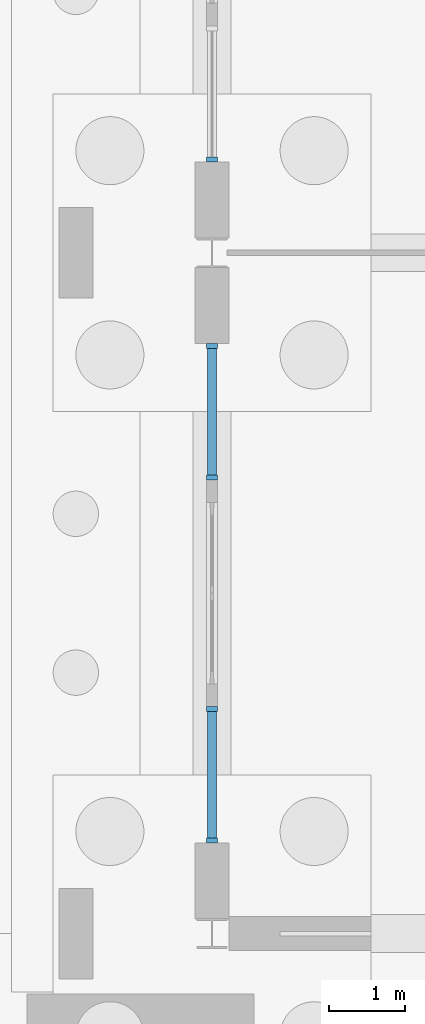
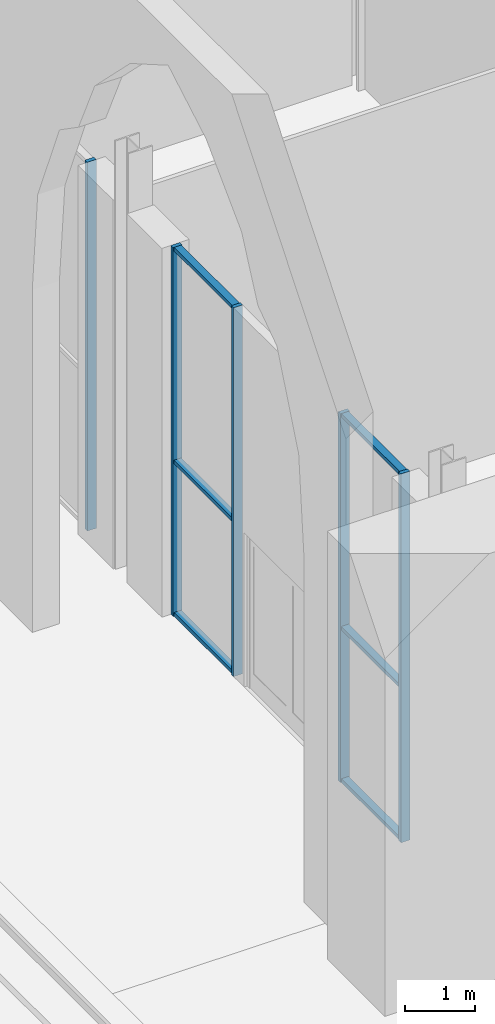
# One storey, part 41 of 250: 11 members, 3 elements without a shape of their own.
"""IFC4 building model written with IfcOpenShell, lengths in metres."""

from ifc_helpers import new_model, si_unit, direction, frame, origin, origin_2d, place, context, subcontext, project, spatial, rectangle, extrude, material, material_profile, profile_set, type_object, element, aggregate, save


model = new_model("IFC4")

# Units and contexts
model_context = context("Model", 3, precision=1e-05, world=origin(), true_north=direction((0.0, 1.0)))
body_context = subcontext(model_context, "Body", "Model", "MODEL_VIEW")
ifc_project = project(units=[si_unit("LENGTHUNIT", "METRE"), si_unit("AREAUNIT", "SQUARE_METRE"), si_unit("VOLUMEUNIT", "CUBIC_METRE"), si_unit("PLANEANGLEUNIT", "RADIAN"), si_unit("MASSUNIT", "GRAM", prefix="KILO")], contexts=[model_context])

# Site, building, storey
site_placement = place(None, origin())
site = spatial("IfcSite", under=ifc_project, at=site_placement, CompositionType="ELEMENT")
building_placement = place(site_placement, origin())
building = spatial("IfcBuilding", under=site, at=building_placement, Name="Baradari Gate Terminus", CompositionType="ELEMENT")
storey_placement = place(building_placement, origin())
storey = spatial("IfcBuildingStorey", under=building, at=storey_placement, Name="L00", CompositionType="ELEMENT", Elevation=0.0)

# Curtain wall, members
ifc_material_1 = material(Name="Aluminium 6063-T6", Category="aluminium")
curtain_wall_type = type_object("IfcCurtainWallType", Name="Curtain wall CW-12 shopfront, other height", PredefinedType="NOTDEFINED", material=ifc_material_1)
curtain_wall_1_placement = place(storey_placement, origin())
curtain_wall_1 = element("IfcCurtainWall", 1, at=curtain_wall_1_placement, inside=storey, type_object=curtain_wall_type, Name="Shopfront curtain wall CW-12 TW bay 13 L00", PredefinedType="NOTDEFINED")
ifc_material_2 = material(Name="Aluminium 6063-T6", Category="aluminium")
ifc_material_profile_1 = material_profile(ifc_material_2, rectangle(XDim=0.14990234375, YDim=0.06494140625, at=origin_2d()), Name="CM-12 65X150")
ifc_profile_set_1 = profile_set([ifc_material_profile_1], Name="Aluminium 6063-T6")
member_type_1 = type_object("IfcMemberType", Name="Curtain wall mullion CM-12 65x150", PredefinedType="MULLION", material=ifc_profile_set_1)
member_1_placement = place(storey_placement, frame((9.0, 118.232421875, 0.0), z_axis=(0.0, 0.0, 1.0), x_axis=(-1.0, 0.0, 0.0)))
member_1 = element("IfcMember", 2, at=member_1_placement, type_object=member_type_1, Name="CW-12 mullion 1", PredefinedType="MULLION", context=body_context, shape_type="SweptSolid", body=[
    extrude(rectangle(XDim=0.14990234375, YDim=0.06494140625, at=origin_2d()), origin(), (0.0, 0.0, 1.0), 6.459716796875),
])
member_2_placement = place(storey_placement, frame((9.0, 119.967529296875, 0.0), z_axis=(0.0, 0.0, 1.0), x_axis=(-1.0, 0.0, 0.0)))
member_2 = element("IfcMember", 3, at=member_2_placement, type_object=member_type_1, Name="CW-12 mullion 2", PredefinedType="MULLION", context=body_context, shape_type="SweptSolid", body=[
    extrude(rectangle(XDim=0.14990234375, YDim=0.06494140625, at=origin_2d()), origin(), (0.0, 0.0, 1.0), 6.459716796875),
])

curtain_wall_2_placement = place(storey_placement, origin())
curtain_wall_2 = element("IfcCurtainWall", 4, at=curtain_wall_2_placement, inside=storey, type_object=curtain_wall_type, Name="Shopfront curtain wall CW-12 TW bay 13 L00", PredefinedType="NOTDEFINED")
member_3_placement = place(storey_placement, frame((9.0, 123.032470703125, 0.0), z_axis=(0.0, 0.0, 1.0), x_axis=(-1.0, 0.0, 0.0)))
member_3 = element("IfcMember", 5, at=member_3_placement, type_object=member_type_1, Name="CW-12 mullion 1", PredefinedType="MULLION", context=body_context, shape_type="SweptSolid", body=[
    extrude(rectangle(XDim=0.14990234375, YDim=0.06494140625, at=origin_2d()), origin(), (0.0, 0.0, 1.0), 6.459716796875),
])
member_4_placement = place(storey_placement, frame((9.0, 124.767578125, 0.0), z_axis=(0.0, 0.0, 1.0), x_axis=(-1.0, 0.0, 0.0)))
member_4 = element("IfcMember", 6, at=member_4_placement, type_object=member_type_1, Name="CW-12 mullion 2", PredefinedType="MULLION", context=body_context, shape_type="SweptSolid", body=[
    extrude(rectangle(XDim=0.14990234375, YDim=0.06494140625, at=origin_2d()), origin(), (0.0, 0.0, 1.0), 6.459716796875),
])

# Curtain wall, member
curtain_wall_3_placement = place(storey_placement, origin())
curtain_wall_3 = element("IfcCurtainWall", 7, at=curtain_wall_3_placement, inside=storey, type_object=curtain_wall_type, Name="Shopfront curtain wall CW-12 TW bay 14 L00", PredefinedType="NOTDEFINED")
member_5_placement = place(storey_placement, frame((9.0, 127.232421875, 0.0), z_axis=(0.0, 0.0, 1.0), x_axis=(-1.0, 0.0, 0.0)))
member_5 = element("IfcMember", 8, at=member_5_placement, type_object=member_type_1, Name="CW-12 mullion 1", PredefinedType="MULLION", context=body_context, shape_type="SweptSolid", body=[
    extrude(rectangle(XDim=0.14990234375, YDim=0.06494140625, at=origin_2d()), origin(), (0.0, 0.0, 1.0), 6.459716796875),
])
aggregate(curtain_wall_3, [member_5])

# Member
ifc_material_3 = material(Name="Aluminium 6063-T6", Category="aluminium")
ifc_material_profile_2 = material_profile(ifc_material_3, rectangle(XDim=0.1201171875, YDim=0.06494140625, at=origin_2d()), Name="CT-12 65X120")
ifc_profile_set_2 = profile_set([ifc_material_profile_2], Name="Aluminium 6063-T6")
member_type_2 = type_object("IfcMemberType", Name="Curtain wall transom CT-12 65x120", PredefinedType="USERDEFINED", material=ifc_profile_set_2)
member_6_placement = place(storey_placement, frame((9.0, 118.264892578125, 0.032470703125), z_axis=(0.0, 1.0, 0.0), x_axis=(-1.0, 0.0, 0.0)))
member_6 = element("IfcMember", 9, at=member_6_placement, type_object=member_type_2, Name="CW-12 transom 1.1", ObjectType="TRANSOM", PredefinedType="USERDEFINED", context=body_context, shape_type="SweptSolid", body=[
    extrude(rectangle(XDim=0.1201171875, YDim=0.06494140625, at=origin_2d()), origin(), (0.0, 0.0, 1.0), 1.670166015625),
])

member_7_placement = place(storey_placement, frame((9.0, 118.264892578125, 2.699951171875), z_axis=(0.0, 1.0, 0.0), x_axis=(-1.0, 0.0, 0.0)))
member_7 = element("IfcMember", 10, at=member_7_placement, type_object=member_type_2, Name="CW-12 transom 1.2", ObjectType="TRANSOM", PredefinedType="USERDEFINED", context=body_context, shape_type="SweptSolid", body=[
    extrude(rectangle(XDim=0.1201171875, YDim=0.06494140625, at=origin_2d()), origin(), (0.0, 0.0, 1.0), 1.670166015625),
])

member_8_placement = place(storey_placement, frame((9.0, 118.264892578125, 6.427001953125), z_axis=(0.0, 1.0, 0.0), x_axis=(-1.0, 0.0, 0.0)))
member_8 = element("IfcMember", 11, at=member_8_placement, type_object=member_type_2, Name="CW-12 transom 1.3", ObjectType="TRANSOM", PredefinedType="USERDEFINED", context=body_context, shape_type="SweptSolid", body=[
    extrude(rectangle(XDim=0.1201171875, YDim=0.06494140625, at=origin_2d()), origin(), (0.0, 0.0, 1.0), 1.670166015625),
])

aggregate(curtain_wall_1, [member_1, member_2, member_6, member_7, member_8])

member_9_placement = place(storey_placement, frame((9.0, 123.06494140625, 0.032470703125), z_axis=(0.0, 1.0, 0.0), x_axis=(-1.0, 0.0, 0.0)))
member_9 = element("IfcMember", 12, at=member_9_placement, type_object=member_type_2, Name="CW-12 transom 1.1", ObjectType="TRANSOM", PredefinedType="USERDEFINED", context=body_context, shape_type="SweptSolid", body=[
    extrude(rectangle(XDim=0.1201171875, YDim=0.06494140625, at=origin_2d()), origin(), (0.0, 0.0, 1.0), 1.670166015625),
])

member_10_placement = place(storey_placement, frame((9.0, 123.06494140625, 2.699951171875), z_axis=(0.0, 1.0, 0.0), x_axis=(-1.0, 0.0, 0.0)))
member_10 = element("IfcMember", 13, at=member_10_placement, type_object=member_type_2, Name="CW-12 transom 1.2", ObjectType="TRANSOM", PredefinedType="USERDEFINED", context=body_context, shape_type="SweptSolid", body=[
    extrude(rectangle(XDim=0.1201171875, YDim=0.06494140625, at=origin_2d()), origin(), (0.0, 0.0, 1.0), 1.670166015625),
])

member_11_placement = place(storey_placement, frame((9.0, 123.06494140625, 6.427001953125), z_axis=(0.0, 1.0, 0.0), x_axis=(-1.0, 0.0, 0.0)))
member_11 = element("IfcMember", 14, at=member_11_placement, type_object=member_type_2, Name="CW-12 transom 1.3", ObjectType="TRANSOM", PredefinedType="USERDEFINED", context=body_context, shape_type="SweptSolid", body=[
    extrude(rectangle(XDim=0.1201171875, YDim=0.06494140625, at=origin_2d()), origin(), (0.0, 0.0, 1.0), 1.670166015625),
])

aggregate(curtain_wall_2, [member_3, member_4, member_9, member_10, member_11])

save(model, "model.ifc")
